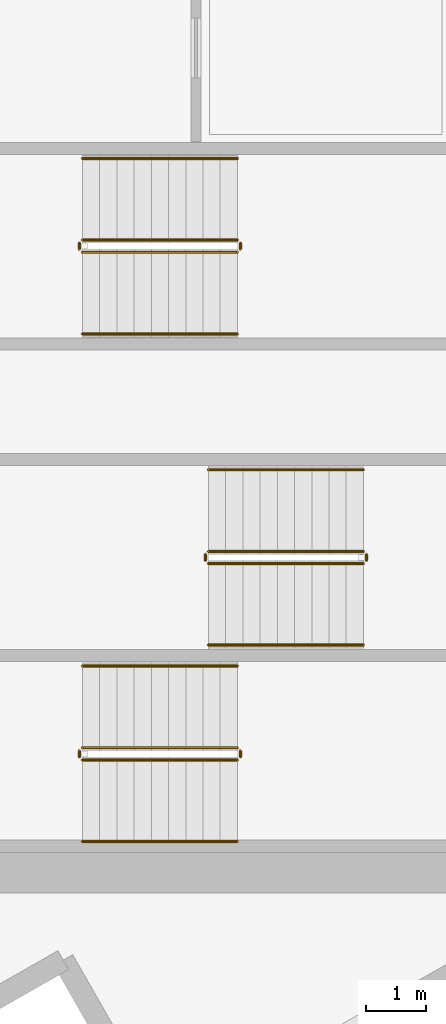
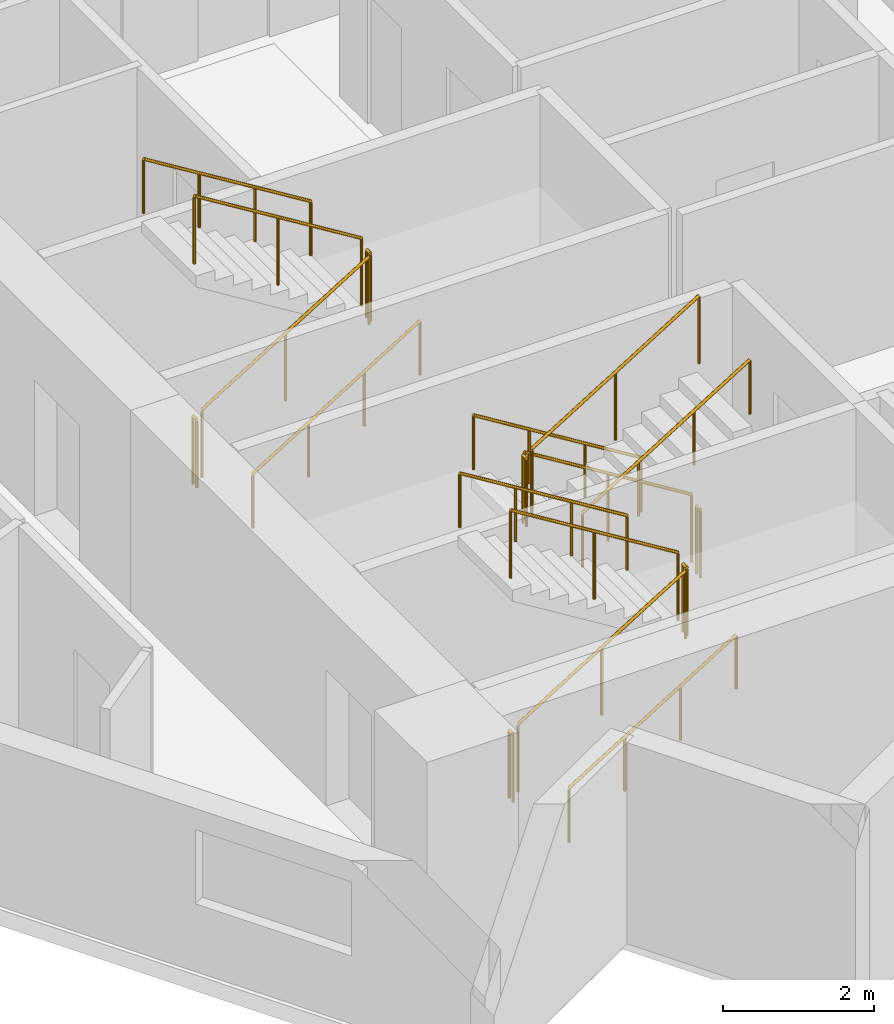
# One storey, part 13 of 14: 18 railings.
"""IFC4 building model written with IfcOpenShell, lengths in metres."""

from ifc_helpers import new_model, si_unit, direction, frame, origin, origin_2d, place, context, subcontext, project, spatial, circle, extrude, material, type_object, element, save


model = new_model("IFC4")

# Units and contexts
model_context = context("Model", 3, precision=1e-05, world=origin(), true_north=direction((0.0, 1.0)))
body_context = subcontext(model_context, "Body", "Model", "MODEL_VIEW")
ifc_project = project(units=[si_unit("LENGTHUNIT", "METRE"), si_unit("AREAUNIT", "SQUARE_METRE"), si_unit("VOLUMEUNIT", "CUBIC_METRE"), si_unit("PLANEANGLEUNIT", "RADIAN"), si_unit("MASSUNIT", "GRAM", prefix="KILO")], contexts=[model_context])

# Site, building, storey
site_placement = place(None, origin())
site = spatial("IfcSite", under=ifc_project, at=site_placement, CompositionType="ELEMENT")
building_placement = place(site_placement, origin())
building = spatial("IfcBuilding", under=site, at=building_placement, Name="Narakoshi Arena Tower", CompositionType="ELEMENT")
storey_placement = place(building_placement, frame((0.0, 0.0, 211.4599609375)))
storey = spatial("IfcBuildingStorey", under=building, at=storey_placement, Name="L57", CompositionType="ELEMENT", Elevation=211.4599609375)

# Railings
ifc_material_1 = material(Name="Clear low-iron laminated structural glass", Category="glass")
railing_type_1 = type_object("IfcRailingType", Name="RL-BAL-1100", PredefinedType="BALUSTRADE", material=ifc_material_1)
railing_1_placement = place(storey_placement, frame((74.39990234375, 36.949951171875, 0.176025390625)))
element("IfcRailing", 1, at=railing_1_placement, inside=storey, type_object=railing_type_1, Name="L57 ST1 stair guard 1", PredefinedType="BALUSTRADE", context=body_context, shape_type="SweptSolid", body=[
    extrude(circle(Radius=0.02392578125, at=origin_2d()), frame((0.0, 0.0, 1.09619140625), z_axis=(0.850856559306, 0.0, 0.525398054323), x_axis=(0.0, 1.0, 0.0)), (0.0, 0.0, 1.0), 3.014892578125),
    extrude(circle(Radius=0.02099609375, at=origin_2d()), origin(), (0.0, 0.0, 1.0), 1.072021484375),
    extrude(circle(Radius=0.02099609375, at=origin_2d()), frame((1.28271484375, 0.0, 0.7919921875)), (0.0, 0.0, 1.0), 1.072021484375),
    extrude(circle(Radius=0.02099609375, at=origin_2d()), frame((2.565185546875, 0.0, 1.583984375)), (0.0, 0.0, 1.0), 1.072021484375),
])
railing_2_placement = place(storey_placement, frame((77.014892578125, 37.0, 1.760009765625)))
element("IfcRailing", 2, at=railing_2_placement, inside=storey, type_object=railing_type_1, Name="L57 ST1 stair guard 2", PredefinedType="BALUSTRADE", context=body_context, shape_type="SweptSolid", body=[
    extrude(circle(Radius=0.02392578125, at=origin_2d()), frame((0.0, 0.0, 1.09619140625), z_axis=(0.0, 1.0, 0.0), x_axis=(-1.0, 0.0, 0.0)), (0.0, 0.0, 1.0), 0.10009765625),
    extrude(circle(Radius=0.02099609375, at=origin_2d()), origin(), (0.0, 0.0, 1.0), 1.072021484375),
    extrude(circle(Radius=0.02099609375, at=origin_2d()), frame((0.0, 0.10009765625, 0.0)), (0.0, 0.0, 1.0), 1.072021484375),
])
railing_3_placement = place(storey_placement, frame((76.965087890625, 37.14990234375, 1.93603515625)))
element("IfcRailing", 3, at=railing_3_placement, inside=storey, type_object=railing_type_1, Name="L57 ST1 stair guard 3", PredefinedType="BALUSTRADE", context=body_context, shape_type="SweptSolid", body=[
    extrude(circle(Radius=0.02392578125, at=origin_2d()), frame((0.0, 0.0, 1.09619140625), z_axis=(-0.850856559306, 0.0, 0.525398054323), x_axis=(0.0, -1.0, 0.0)), (0.0, 0.0, 1.0), 3.014892578125),
    extrude(circle(Radius=0.02099609375, at=origin_2d()), origin(), (0.0, 0.0, 1.0), 1.072021484375),
    extrude(circle(Radius=0.02099609375, at=origin_2d()), frame((-1.28271484375, 0.0, 0.7919921875)), (0.0, 0.0, 1.0), 1.072021484375),
    extrude(circle(Radius=0.02099609375, at=origin_2d()), frame((-2.565185546875, 0.0, 1.583984375)), (0.0, 0.0, 1.0), 1.072021484375),
])
railing_4_placement = place(storey_placement, frame((74.35009765625, 37.0, 0.0)))
element("IfcRailing", 4, at=railing_4_placement, inside=storey, type_object=railing_type_1, Name="L57 ST1 stair guard 4", PredefinedType="BALUSTRADE", context=body_context, shape_type="SweptSolid", body=[
    extrude(circle(Radius=0.02392578125, at=origin_2d()), frame((0.0, 0.0, 1.09619140625), z_axis=(0.0, 1.0, 0.0), x_axis=(-1.0, 0.0, 0.0)), (0.0, 0.0, 1.0), 0.10009765625),
    extrude(circle(Radius=0.02099609375, at=origin_2d()), origin(), (0.0, 0.0, 1.0), 1.072021484375),
    extrude(circle(Radius=0.02099609375, at=origin_2d()), frame((0.0, 0.10009765625, 0.0)), (0.0, 0.0, 1.0), 1.072021484375),
])
railing_5_placement = place(storey_placement, frame((79.050048828125, 40.39990234375, 0.176025390625)))
element("IfcRailing", 5, at=railing_5_placement, inside=storey, type_object=railing_type_1, Name="L57 ST2 stair guard 1", PredefinedType="BALUSTRADE", context=body_context, shape_type="SweptSolid", body=[
    extrude(circle(Radius=0.02392578125, at=origin_2d()), frame((0.0, 0.0, 1.09619140625), z_axis=(-0.850834203031, 0.0, 0.525434257497), x_axis=(0.0, -1.0, 0.0)), (0.0, 0.0, 1.0), 3.0146484375),
    extrude(circle(Radius=0.02099609375, at=origin_2d()), origin(), (0.0, 0.0, 1.0), 1.072021484375),
    extrude(circle(Radius=0.02099609375, at=origin_2d()), frame((-1.282470703125, 0.0, 0.7919921875)), (0.0, 0.0, 1.0), 1.072021484375),
    extrude(circle(Radius=0.02099609375, at=origin_2d()), frame((-2.56494140625, 0.0, 1.583984375)), (0.0, 0.0, 1.0), 1.072021484375),
])
railing_6_placement = place(storey_placement, frame((76.43505859375, 40.35009765625, 1.760009765625)))
element("IfcRailing", 6, at=railing_6_placement, inside=storey, type_object=railing_type_1, Name="L57 ST2 stair guard 2", PredefinedType="BALUSTRADE", context=body_context, shape_type="SweptSolid", body=[
    extrude(circle(Radius=0.02392578125, at=origin_2d()), frame((0.0, 0.0, 1.09619140625), z_axis=(0.0, -1.0, 0.0), x_axis=(1.0, 0.0, 0.0)), (0.0, 0.0, 1.0), 0.10009765625),
    extrude(circle(Radius=0.02099609375, at=origin_2d()), origin(), (0.0, 0.0, 1.0), 1.072021484375),
    extrude(circle(Radius=0.02099609375, at=origin_2d()), frame((0.0, -0.10009765625, 0.0)), (0.0, 0.0, 1.0), 1.072021484375),
])
railing_7_placement = place(storey_placement, frame((76.485107421875, 40.199951171875, 1.93603515625)))
element("IfcRailing", 7, at=railing_7_placement, inside=storey, type_object=railing_type_1, Name="L57 ST2 stair guard 3", PredefinedType="BALUSTRADE", context=body_context, shape_type="SweptSolid", body=[
    extrude(circle(Radius=0.02392578125, at=origin_2d()), frame((0.0, 0.0, 1.09619140625), z_axis=(0.850834203031, 0.0, 0.525434257497), x_axis=(0.0, 1.0, 0.0)), (0.0, 0.0, 1.0), 3.0146484375),
    extrude(circle(Radius=0.02099609375, at=origin_2d()), origin(), (0.0, 0.0, 1.0), 1.072021484375),
    extrude(circle(Radius=0.02099609375, at=origin_2d()), frame((1.282470703125, 0.0, 0.7919921875)), (0.0, 0.0, 1.0), 1.072021484375),
    extrude(circle(Radius=0.02099609375, at=origin_2d()), frame((2.56494140625, 0.0, 1.583984375)), (0.0, 0.0, 1.0), 1.072021484375),
])
railing_8_placement = place(storey_placement, frame((79.10009765625, 40.35009765625, 0.0)))
element("IfcRailing", 8, at=railing_8_placement, inside=storey, type_object=railing_type_1, Name="L57 ST2 stair guard 4", PredefinedType="BALUSTRADE", context=body_context, shape_type="SweptSolid", body=[
    extrude(circle(Radius=0.02392578125, at=origin_2d()), frame((0.0, 0.0, 1.09619140625), z_axis=(0.0, -1.0, 0.0), x_axis=(1.0, 0.0, 0.0)), (0.0, 0.0, 1.0), 0.10009765625),
    extrude(circle(Radius=0.02099609375, at=origin_2d()), origin(), (0.0, 0.0, 1.0), 1.072021484375),
    extrude(circle(Radius=0.02099609375, at=origin_2d()), frame((0.0, -0.10009765625, 0.0)), (0.0, 0.0, 1.0), 1.072021484375),
])
railing_9_placement = place(storey_placement, frame((74.39990234375, 45.35009765625, 0.176025390625)))
element("IfcRailing", 9, at=railing_9_placement, inside=storey, type_object=railing_type_1, Name="L57 ST3 stair guard 1", PredefinedType="BALUSTRADE", context=body_context, shape_type="SweptSolid", body=[
    extrude(circle(Radius=0.02392578125, at=origin_2d()), frame((0.0, 0.0, 1.09619140625), z_axis=(0.850856559306, 0.0, 0.525398054323), x_axis=(0.0, 1.0, 0.0)), (0.0, 0.0, 1.0), 3.014892578125),
    extrude(circle(Radius=0.02099609375, at=origin_2d()), origin(), (0.0, 0.0, 1.0), 1.072021484375),
    extrude(circle(Radius=0.02099609375, at=origin_2d()), frame((1.28271484375, 0.0, 0.7919921875)), (0.0, 0.0, 1.0), 1.072021484375),
    extrude(circle(Radius=0.02099609375, at=origin_2d()), frame((2.565185546875, 0.0, 1.583984375)), (0.0, 0.0, 1.0), 1.072021484375),
])
railing_10_placement = place(storey_placement, frame((77.014892578125, 45.39990234375, 1.760009765625)))
element("IfcRailing", 10, at=railing_10_placement, inside=storey, type_object=railing_type_1, Name="L57 ST3 stair guard 2", PredefinedType="BALUSTRADE", context=body_context, shape_type="SweptSolid", body=[
    extrude(circle(Radius=0.02392578125, at=origin_2d()), frame((0.0, 0.0, 1.09619140625), z_axis=(0.0, 1.0, 0.0), x_axis=(-1.0, 0.0, 0.0)), (0.0, 0.0, 1.0), 0.10009765625),
    extrude(circle(Radius=0.02099609375, at=origin_2d()), origin(), (0.0, 0.0, 1.0), 1.072021484375),
    extrude(circle(Radius=0.02099609375, at=origin_2d()), frame((0.0, 0.10009765625, 0.0)), (0.0, 0.0, 1.0), 1.072021484375),
])
railing_11_placement = place(storey_placement, frame((76.965087890625, 45.550048828125, 1.93603515625)))
element("IfcRailing", 11, at=railing_11_placement, inside=storey, type_object=railing_type_1, Name="L57 ST3 stair guard 3", PredefinedType="BALUSTRADE", context=body_context, shape_type="SweptSolid", body=[
    extrude(circle(Radius=0.02392578125, at=origin_2d()), frame((0.0, 0.0, 1.09619140625), z_axis=(-0.850856559306, 0.0, 0.525398054323), x_axis=(0.0, -1.0, 0.0)), (0.0, 0.0, 1.0), 3.014892578125),
    extrude(circle(Radius=0.02099609375, at=origin_2d()), origin(), (0.0, 0.0, 1.0), 1.072021484375),
    extrude(circle(Radius=0.02099609375, at=origin_2d()), frame((-1.28271484375, 0.0, 0.7919921875)), (0.0, 0.0, 1.0), 1.072021484375),
    extrude(circle(Radius=0.02099609375, at=origin_2d()), frame((-2.565185546875, 0.0, 1.583984375)), (0.0, 0.0, 1.0), 1.072021484375),
])
railing_12_placement = place(storey_placement, frame((74.35009765625, 45.39990234375, 0.0)))
element("IfcRailing", 12, at=railing_12_placement, inside=storey, type_object=railing_type_1, Name="L57 ST3 stair guard 4", PredefinedType="BALUSTRADE", context=body_context, shape_type="SweptSolid", body=[
    extrude(circle(Radius=0.02392578125, at=origin_2d()), frame((0.0, 0.0, 1.09619140625), z_axis=(0.0, 1.0, 0.0), x_axis=(-1.0, 0.0, 0.0)), (0.0, 0.0, 1.0), 0.10009765625),
    extrude(circle(Radius=0.02099609375, at=origin_2d()), origin(), (0.0, 0.0, 1.0), 1.072021484375),
    extrude(circle(Radius=0.02099609375, at=origin_2d()), frame((0.0, 0.10009765625, 0.0)), (0.0, 0.0, 1.0), 1.072021484375),
])
ifc_material_2 = material(Name="Brushed bronze stainless steel", Category="steel")
railing_type_2 = type_object("IfcRailingType", Name="RL-HND-900", PredefinedType="HANDRAIL", material=ifc_material_2)
railing_13_placement = place(storey_placement, frame((74.39990234375, 35.60009765625, 0.176025390625)))
element("IfcRailing", 13, at=railing_13_placement, inside=storey, type_object=railing_type_2, Name="L57 ST1 stair handrail 1", PredefinedType="HANDRAIL", context=body_context, shape_type="SweptSolid", body=[
    extrude(circle(Radius=0.02392578125, at=origin_2d()), frame((0.0, 0.0, 0.8759765625), z_axis=(0.850856559306, 0.0, 0.525398054323), x_axis=(0.0, 1.0, 0.0)), (0.0, 0.0, 1.0), 3.014892578125),
    extrude(circle(Radius=0.02099609375, at=origin_2d()), origin(), (0.0, 0.0, 1.0), 0.851806640625),
    extrude(circle(Radius=0.02099609375, at=origin_2d()), frame((0.85498046875, 0.0, 0.528076171875)), (0.0, 0.0, 1.0), 0.851806640625),
    extrude(circle(Radius=0.02099609375, at=origin_2d()), frame((1.710205078125, 0.0, 1.055908203125)), (0.0, 0.0, 1.0), 0.851806640625),
    extrude(circle(Radius=0.02099609375, at=origin_2d()), frame((2.565185546875, 0.0, 1.583984375)), (0.0, 0.0, 1.0), 0.851806640625),
])
railing_14_placement = place(storey_placement, frame((76.965087890625, 38.5, 1.93603515625)))
element("IfcRailing", 14, at=railing_14_placement, inside=storey, type_object=railing_type_2, Name="L57 ST1 stair handrail 2", PredefinedType="HANDRAIL", context=body_context, shape_type="SweptSolid", body=[
    extrude(circle(Radius=0.02392578125, at=origin_2d()), frame((0.0, 0.0, 0.8759765625), z_axis=(-0.850856559306, 0.0, 0.525398054323), x_axis=(0.0, -1.0, 0.0)), (0.0, 0.0, 1.0), 3.014892578125),
    extrude(circle(Radius=0.02099609375, at=origin_2d()), origin(), (0.0, 0.0, 1.0), 0.851806640625),
    extrude(circle(Radius=0.02099609375, at=origin_2d()), frame((-0.85498046875, 0.0, 0.528076171875)), (0.0, 0.0, 1.0), 0.851806640625),
    extrude(circle(Radius=0.02099609375, at=origin_2d()), frame((-1.710205078125, 0.0, 1.055908203125)), (0.0, 0.0, 1.0), 0.851806640625),
    extrude(circle(Radius=0.02099609375, at=origin_2d()), frame((-2.565185546875, 0.0, 1.583984375)), (0.0, 0.0, 1.0), 0.851806640625),
])
railing_15_placement = place(storey_placement, frame((79.050048828125, 41.75, 0.176025390625)))
element("IfcRailing", 15, at=railing_15_placement, inside=storey, type_object=railing_type_2, Name="L57 ST2 stair handrail 1", PredefinedType="HANDRAIL", context=body_context, shape_type="SweptSolid", body=[
    extrude(circle(Radius=0.02392578125, at=origin_2d()), frame((0.0, 0.0, 0.8759765625), z_axis=(-0.850834203031, 0.0, 0.525434257497), x_axis=(0.0, -1.0, 0.0)), (0.0, 0.0, 1.0), 3.0146484375),
    extrude(circle(Radius=0.02099609375, at=origin_2d()), origin(), (0.0, 0.0, 1.0), 0.851806640625),
    extrude(circle(Radius=0.02099609375, at=origin_2d()), frame((-0.85498046875, 0.0, 0.528076171875)), (0.0, 0.0, 1.0), 0.851806640625),
    extrude(circle(Radius=0.02099609375, at=origin_2d()), frame((-1.7099609375, 0.0, 1.055908203125)), (0.0, 0.0, 1.0), 0.851806640625),
    extrude(circle(Radius=0.02099609375, at=origin_2d()), frame((-2.56494140625, 0.0, 1.583984375)), (0.0, 0.0, 1.0), 0.851806640625),
])
railing_16_placement = place(storey_placement, frame((76.485107421875, 38.85009765625, 1.93603515625)))
element("IfcRailing", 16, at=railing_16_placement, inside=storey, type_object=railing_type_2, Name="L57 ST2 stair handrail 2", PredefinedType="HANDRAIL", context=body_context, shape_type="SweptSolid", body=[
    extrude(circle(Radius=0.02392578125, at=origin_2d()), frame((0.0, 0.0, 0.8759765625), z_axis=(0.850834203031, 0.0, 0.525434257497), x_axis=(0.0, 1.0, 0.0)), (0.0, 0.0, 1.0), 3.0146484375),
    extrude(circle(Radius=0.02099609375, at=origin_2d()), origin(), (0.0, 0.0, 1.0), 0.851806640625),
    extrude(circle(Radius=0.02099609375, at=origin_2d()), frame((0.85498046875, 0.0, 0.528076171875)), (0.0, 0.0, 1.0), 0.851806640625),
    extrude(circle(Radius=0.02099609375, at=origin_2d()), frame((1.7099609375, 0.0, 1.055908203125)), (0.0, 0.0, 1.0), 0.851806640625),
    extrude(circle(Radius=0.02099609375, at=origin_2d()), frame((2.56494140625, 0.0, 1.583984375)), (0.0, 0.0, 1.0), 0.851806640625),
])
railing_17_placement = place(storey_placement, frame((74.39990234375, 44.0, 0.176025390625)))
element("IfcRailing", 17, at=railing_17_placement, inside=storey, type_object=railing_type_2, Name="L57 ST3 stair handrail 1", PredefinedType="HANDRAIL", context=body_context, shape_type="SweptSolid", body=[
    extrude(circle(Radius=0.02392578125, at=origin_2d()), frame((0.0, 0.0, 0.8759765625), z_axis=(0.850856559306, 0.0, 0.525398054323), x_axis=(0.0, 1.0, 0.0)), (0.0, 0.0, 1.0), 3.014892578125),
    extrude(circle(Radius=0.02099609375, at=origin_2d()), origin(), (0.0, 0.0, 1.0), 0.851806640625),
    extrude(circle(Radius=0.02099609375, at=origin_2d()), frame((0.85498046875, 0.0, 0.528076171875)), (0.0, 0.0, 1.0), 0.851806640625),
    extrude(circle(Radius=0.02099609375, at=origin_2d()), frame((1.710205078125, 0.0, 1.055908203125)), (0.0, 0.0, 1.0), 0.851806640625),
    extrude(circle(Radius=0.02099609375, at=origin_2d()), frame((2.565185546875, 0.0, 1.583984375)), (0.0, 0.0, 1.0), 0.851806640625),
])
railing_18_placement = place(storey_placement, frame((76.965087890625, 46.89990234375, 1.93603515625)))
element("IfcRailing", 18, at=railing_18_placement, inside=storey, type_object=railing_type_2, Name="L57 ST3 stair handrail 2", PredefinedType="HANDRAIL", context=body_context, shape_type="SweptSolid", body=[
    extrude(circle(Radius=0.02392578125, at=origin_2d()), frame((0.0, 0.0, 0.8759765625), z_axis=(-0.850856559306, 0.0, 0.525398054323), x_axis=(0.0, -1.0, 0.0)), (0.0, 0.0, 1.0), 3.014892578125),
    extrude(circle(Radius=0.02099609375, at=origin_2d()), origin(), (0.0, 0.0, 1.0), 0.851806640625),
    extrude(circle(Radius=0.02099609375, at=origin_2d()), frame((-0.85498046875, 0.0, 0.528076171875)), (0.0, 0.0, 1.0), 0.851806640625),
    extrude(circle(Radius=0.02099609375, at=origin_2d()), frame((-1.710205078125, 0.0, 1.055908203125)), (0.0, 0.0, 1.0), 0.851806640625),
    extrude(circle(Radius=0.02099609375, at=origin_2d()), frame((-2.565185546875, 0.0, 1.583984375)), (0.0, 0.0, 1.0), 0.851806640625),
])

save(model, "model.ifc")
